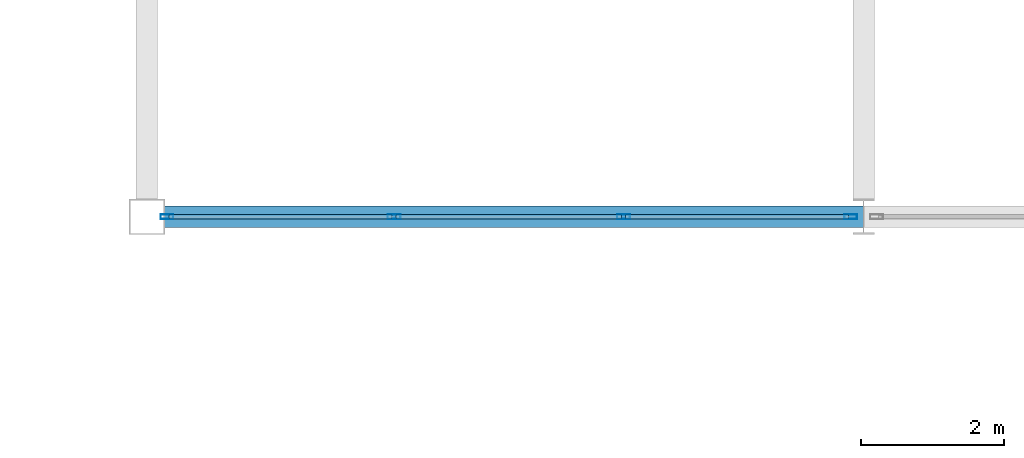
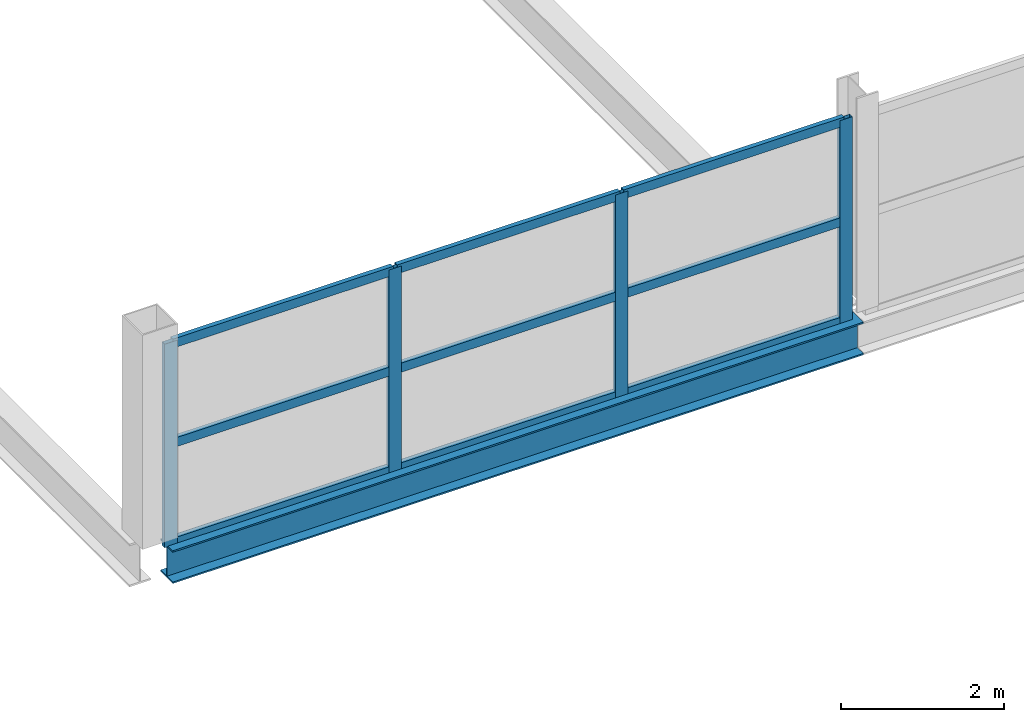
# One storey, part 35 of 134: 13 members, 1 beam, 1 element without a shape of its own.
"""IFC4 building model written with IfcOpenShell, lengths in metres."""

from ifc_helpers import new_model, si_unit, direction, frame, origin, origin_2d, place, context, subcontext, project, spatial, hollow_rectangle, i_section, extrude, material, layer, layer_set, material_profile, profile_set, type_object, element, aggregate, save


model = new_model("IFC4")

# Units and contexts
model_context = context("Model", 3, precision=1e-05, world=origin(), true_north=direction((0.0, 1.0)))
body_context = subcontext(model_context, "Body", "Model", "MODEL_VIEW")
ifc_project = project(units=[si_unit("LENGTHUNIT", "METRE"), si_unit("AREAUNIT", "SQUARE_METRE"), si_unit("VOLUMEUNIT", "CUBIC_METRE"), si_unit("PLANEANGLEUNIT", "RADIAN"), si_unit("MASSUNIT", "GRAM", prefix="KILO")], contexts=[model_context])

# Site, building, storey
site_placement = place(None, origin())
site = spatial("IfcSite", under=ifc_project, at=site_placement, CompositionType="ELEMENT")
building_placement = place(site_placement, origin())
building = spatial("IfcBuilding", under=site, at=building_placement, Name="Tamarisk Ironworks Central Station", CompositionType="ELEMENT")
storey_placement = place(building_placement, frame((0.0, 0.0, 12.60009765625)))
storey = spatial("IfcBuildingStorey", under=building, at=storey_placement, Name="L02", CompositionType="ELEMENT", Elevation=12.60009765625)

# Beam
ifc_material_1 = material(Name="Structural steel S355J2", Category="steel")
ifc_material_profile_1 = material_profile(ifc_material_1, i_section(OverallWidth=0.300048828125, OverallDepth=0.489990234375, WebThickness=0.011962890625, FlangeThickness=0.02294921875, at=origin_2d()), Name="HEA 500")
ifc_profile_set_1 = profile_set([ifc_material_profile_1], Name="Structural steel S355J2")
beam_type = type_object("IfcBeamType", Name="BM-G05", PredefinedType="BEAM", material=ifc_profile_set_1)
beam_placement = place(storey_placement, frame((118.238037109375, 21.60009765625, -0.4951171875), z_axis=(1.0, 0.0, 0.0), x_axis=(0.0, 1.0, 0.0)))
element("IfcBeam", 1, at=beam_placement, inside=storey, type_object=beam_type, Name="L02 primary girder X-0314", PredefinedType="BEAM", context=body_context, shape_type="SweptSolid", body=[
    extrude(i_section(OverallWidth=0.300048828125, OverallDepth=0.489990234375, WebThickness=0.011962890625, FlangeThickness=0.02294921875, at=origin_2d()), origin(), (0.0, 0.0, 1.0), 9.758056640625),
])

# Curtain wall, members
ifc_material_2 = material(Name="Anodized aluminium alloy 6063-T6", Category="aluminium")
ifc_layer = layer(ifc_material_2, 0.179931640625)
ifc_layer_set = layer_set([ifc_layer], Name="Anodized aluminium alloy 6063-T6")
curtain_wall_type = type_object("IfcCurtainWallType", Name="CW-07", PredefinedType="USERDEFINED", material=ifc_layer_set)
curtain_wall_placement = place(storey_placement, origin())
curtain_wall = element("IfcCurtainWall", 2, at=curtain_wall_placement, inside=storey, type_object=curtain_wall_type, Name="Train shed ES clerestory curtain wall 118", ObjectType="GLAZED CURTAIN WALL", PredefinedType="USERDEFINED")
ifc_material_profile_2 = material_profile(ifc_material_2, hollow_rectangle(XDim=0.06494140625, YDim=0.179931640625, WallThickness=0.00390625, at=origin_2d()), Name="ALUM 180x65")
ifc_profile_set_2 = profile_set([ifc_material_profile_2], Name="Anodized aluminium alloy 6063-T6")
member_type_1 = type_object("IfcMemberType", Name="CWM-02", PredefinedType="MULLION", material=ifc_profile_set_2)
member_1_placement = place(storey_placement, frame((118.280517578125, 21.60009765625, -0.260009765625), z_axis=(0.0, 0.0, 1.0), x_axis=(0.0, 1.0, 0.0)))
member_1 = element("IfcMember", 3, at=member_1_placement, type_object=member_type_1, Name="CW07 mullion 1", PredefinedType="MULLION", context=body_context, shape_type="SweptSolid", body=[
    extrude(hollow_rectangle(XDim=0.06494140625, YDim=0.179931640625, WallThickness=0.00390625, at=origin_2d()), origin(), (0.0, 0.0, 1.0), 3.039794921875),
])
member_2_placement = place(storey_placement, frame((121.44921875, 21.60009765625, -0.260009765625), z_axis=(0.0, 0.0, 1.0), x_axis=(0.0, 1.0, 0.0)))
member_2 = element("IfcMember", 4, at=member_2_placement, type_object=member_type_1, Name="CW07 mullion 2", PredefinedType="MULLION", context=body_context, shape_type="SweptSolid", body=[
    extrude(hollow_rectangle(XDim=0.06494140625, YDim=0.179931640625, WallThickness=0.00390625, at=origin_2d()), origin(), (0.0, 0.0, 1.0), 3.039794921875),
])
member_3_placement = place(storey_placement, frame((124.650634765625, 21.60009765625, -0.260009765625), z_axis=(0.0, 0.0, 1.0), x_axis=(0.0, 1.0, 0.0)))
member_3 = element("IfcMember", 5, at=member_3_placement, type_object=member_type_1, Name="CW07 mullion 3", PredefinedType="MULLION", context=body_context, shape_type="SweptSolid", body=[
    extrude(hollow_rectangle(XDim=0.06494140625, YDim=0.179931640625, WallThickness=0.00390625, at=origin_2d()), origin(), (0.0, 0.0, 1.0), 3.039794921875),
])
member_4_placement = place(storey_placement, frame((127.819580078125, 21.60009765625, -0.260009765625), z_axis=(0.0, 0.0, 1.0), x_axis=(0.0, 1.0, 0.0)))
member_4 = element("IfcMember", 6, at=member_4_placement, type_object=member_type_1, Name="CW07 mullion 4", PredefinedType="MULLION", context=body_context, shape_type="SweptSolid", body=[
    extrude(hollow_rectangle(XDim=0.06494140625, YDim=0.179931640625, WallThickness=0.00390625, at=origin_2d()), origin(), (0.0, 0.0, 1.0), 3.039794921875),
])
ifc_material_profile_3 = material_profile(ifc_material_2, hollow_rectangle(XDim=0.06494140625, YDim=0.135009765625, WallThickness=0.00341796875, at=origin_2d()), Name="ALUM 135x65")
ifc_profile_set_3 = profile_set([ifc_material_profile_3], Name="Anodized aluminium alloy 6063-T6")
member_type_2 = type_object("IfcMemberType", Name="CWT-02", PredefinedType="USERDEFINED", material=ifc_profile_set_3)
member_5_placement = place(storey_placement, frame((118.30908203125, 21.60009765625, -0.2275390625), z_axis=(1.0, 0.0, 0.0), x_axis=(0.0, 1.0, 0.0)))
member_5 = element("IfcMember", 7, at=member_5_placement, type_object=member_type_2, Name="CW07 transom 1.1", ObjectType="TRANSOM", PredefinedType="USERDEFINED", context=body_context, shape_type="SweptSolid", body=[
    extrude(hollow_rectangle(XDim=0.06494140625, YDim=0.135009765625, WallThickness=0.00341796875, at=origin_2d()), origin(), (0.0, 0.0, 1.0), 3.11181640625),
])
member_6_placement = place(storey_placement, frame((118.30908203125, 21.60009765625, 1.260009765625), z_axis=(1.0, 0.0, 0.0), x_axis=(0.0, 1.0, 0.0)))
member_6 = element("IfcMember", 8, at=member_6_placement, type_object=member_type_2, Name="CW07 transom 1.2", ObjectType="TRANSOM", PredefinedType="USERDEFINED", context=body_context, shape_type="SweptSolid", body=[
    extrude(hollow_rectangle(XDim=0.06494140625, YDim=0.135009765625, WallThickness=0.00341796875, at=origin_2d()), origin(), (0.0, 0.0, 1.0), 3.11181640625),
])
member_7_placement = place(storey_placement, frame((118.30908203125, 21.60009765625, 2.747314453125), z_axis=(1.0, 0.0, 0.0), x_axis=(0.0, 1.0, 0.0)))
member_7 = element("IfcMember", 9, at=member_7_placement, type_object=member_type_2, Name="CW07 transom 1.3", ObjectType="TRANSOM", PredefinedType="USERDEFINED", context=body_context, shape_type="SweptSolid", body=[
    extrude(hollow_rectangle(XDim=0.06494140625, YDim=0.135009765625, WallThickness=0.00341796875, at=origin_2d()), origin(), (0.0, 0.0, 1.0), 3.11181640625),
])
member_8_placement = place(storey_placement, frame((121.477783203125, 21.60009765625, -0.2275390625), z_axis=(1.0, 0.0, 0.0), x_axis=(0.0, 1.0, 0.0)))
member_8 = element("IfcMember", 10, at=member_8_placement, type_object=member_type_2, Name="CW07 transom 2.1", ObjectType="TRANSOM", PredefinedType="USERDEFINED", context=body_context, shape_type="SweptSolid", body=[
    extrude(hollow_rectangle(XDim=0.06494140625, YDim=0.135009765625, WallThickness=0.00341796875, at=origin_2d()), origin(), (0.0, 0.0, 1.0), 3.144287109375),
])
member_9_placement = place(storey_placement, frame((121.477783203125, 21.60009765625, 1.260009765625), z_axis=(1.0, 0.0, 0.0), x_axis=(0.0, 1.0, 0.0)))
member_9 = element("IfcMember", 11, at=member_9_placement, type_object=member_type_2, Name="CW07 transom 2.2", ObjectType="TRANSOM", PredefinedType="USERDEFINED", context=body_context, shape_type="SweptSolid", body=[
    extrude(hollow_rectangle(XDim=0.06494140625, YDim=0.135009765625, WallThickness=0.00341796875, at=origin_2d()), origin(), (0.0, 0.0, 1.0), 3.144287109375),
])
member_10_placement = place(storey_placement, frame((121.477783203125, 21.60009765625, 2.747314453125), z_axis=(1.0, 0.0, 0.0), x_axis=(0.0, 1.0, 0.0)))
member_10 = element("IfcMember", 12, at=member_10_placement, type_object=member_type_2, Name="CW07 transom 2.3", ObjectType="TRANSOM", PredefinedType="USERDEFINED", context=body_context, shape_type="SweptSolid", body=[
    extrude(hollow_rectangle(XDim=0.06494140625, YDim=0.135009765625, WallThickness=0.00341796875, at=origin_2d()), origin(), (0.0, 0.0, 1.0), 3.144287109375),
])
member_11_placement = place(storey_placement, frame((124.67919921875, 21.60009765625, -0.2275390625), z_axis=(1.0, 0.0, 0.0), x_axis=(0.0, 1.0, 0.0)))
member_11 = element("IfcMember", 13, at=member_11_placement, type_object=member_type_2, Name="CW07 transom 3.1", ObjectType="TRANSOM", PredefinedType="USERDEFINED", context=body_context, shape_type="SweptSolid", body=[
    extrude(hollow_rectangle(XDim=0.06494140625, YDim=0.135009765625, WallThickness=0.00341796875, at=origin_2d()), origin(), (0.0, 0.0, 1.0), 3.11181640625),
])
member_12_placement = place(storey_placement, frame((124.67919921875, 21.60009765625, 1.260009765625), z_axis=(1.0, 0.0, 0.0), x_axis=(0.0, 1.0, 0.0)))
member_12 = element("IfcMember", 14, at=member_12_placement, type_object=member_type_2, Name="CW07 transom 3.2", ObjectType="TRANSOM", PredefinedType="USERDEFINED", context=body_context, shape_type="SweptSolid", body=[
    extrude(hollow_rectangle(XDim=0.06494140625, YDim=0.135009765625, WallThickness=0.00341796875, at=origin_2d()), origin(), (0.0, 0.0, 1.0), 3.11181640625),
])
member_13_placement = place(storey_placement, frame((124.67919921875, 21.60009765625, 2.747314453125), z_axis=(1.0, 0.0, 0.0), x_axis=(0.0, 1.0, 0.0)))
member_13 = element("IfcMember", 15, at=member_13_placement, type_object=member_type_2, Name="CW07 transom 3.3", ObjectType="TRANSOM", PredefinedType="USERDEFINED", context=body_context, shape_type="SweptSolid", body=[
    extrude(hollow_rectangle(XDim=0.06494140625, YDim=0.135009765625, WallThickness=0.00341796875, at=origin_2d()), origin(), (0.0, 0.0, 1.0), 3.11181640625),
])
aggregate(curtain_wall, [member_1, member_2, member_3, member_4, member_5, member_6, member_7, member_8, member_9, member_10, member_11, member_12, member_13])

save(model, "model.ifc")
